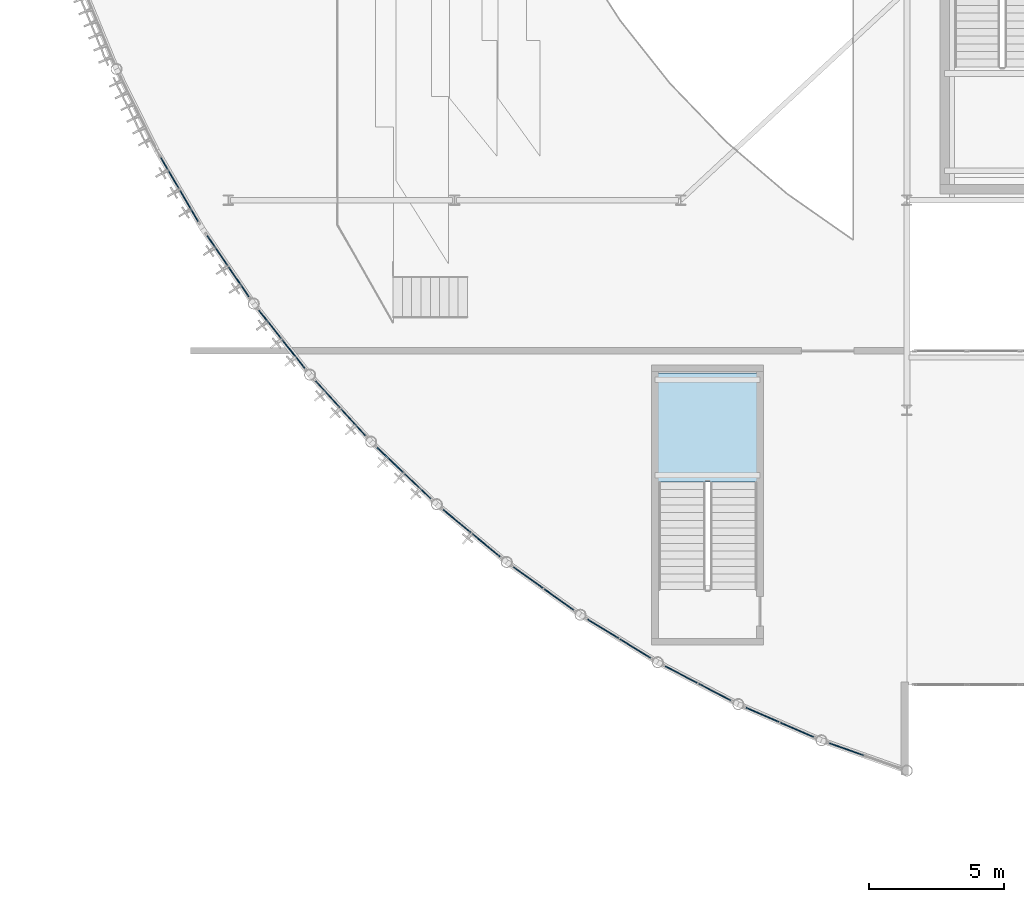
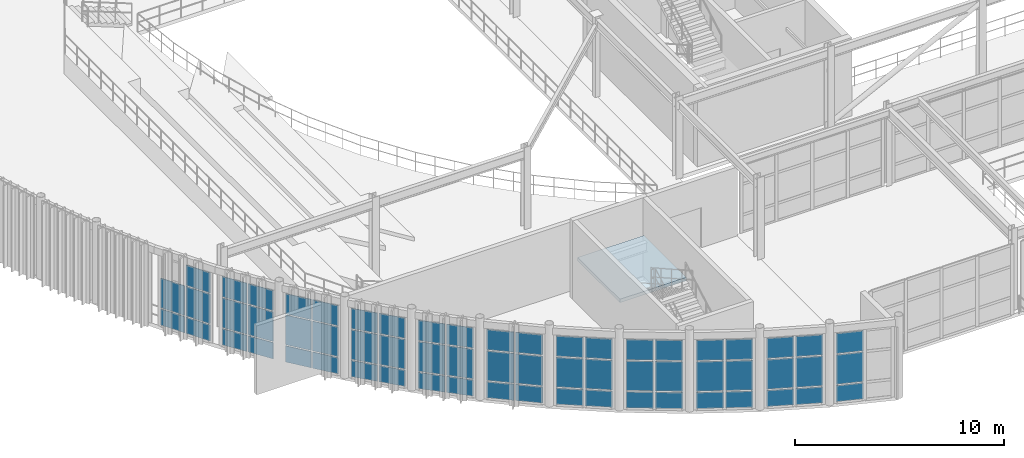
# One storey, part 80 of 116: 62 plates, 1 slab, 12 elements without a shape of their own.
"""IFC4 building model written with IfcOpenShell, lengths in metres."""

from ifc_helpers import new_model, si_unit, direction, frame, origin, origin_2d, place, context, subcontext, project, spatial, polyline, rectangle, outline, extrude, material, layer, layer_set, type_object, element, aggregate, save


model = new_model("IFC4")

# Units and contexts
model_context = context("Model", 3, precision=1e-05, world=origin(), true_north=direction((0.0, 1.0)))
body_context = subcontext(model_context, "Body", "Model", "MODEL_VIEW")
ifc_project = project(units=[si_unit("LENGTHUNIT", "METRE"), si_unit("AREAUNIT", "SQUARE_METRE"), si_unit("VOLUMEUNIT", "CUBIC_METRE"), si_unit("PLANEANGLEUNIT", "RADIAN"), si_unit("MASSUNIT", "GRAM", prefix="KILO")], contexts=[model_context])

# Site, building, storey
site_placement = place(None, origin())
site = spatial("IfcSite", under=ifc_project, at=site_placement, CompositionType="ELEMENT")
building_placement = place(site_placement, origin())
building = spatial("IfcBuilding", under=site, at=building_placement, Name="Selat Folded Stagehouse", CompositionType="ELEMENT")
storey_placement = place(building_placement, frame((0.0, 0.0, 5.39990234375)))
storey = spatial("IfcBuildingStorey", under=building, at=storey_placement, Name="L01", CompositionType="ELEMENT", Elevation=5.39990234375)

# Curtain wall, plates
ifc_material_1 = material(Name="Aluminium 6063-T6", Category="aluminium")
ifc_layer_1 = layer(ifc_material_1, 0.199951171875)
ifc_layer_set_1 = layer_set([ifc_layer_1], Name="Aluminium 6063-T6")
curtain_wall_type = type_object("IfcCurtainWallType", Name="CW-DRM-MID", PredefinedType="NOTDEFINED", material=ifc_layer_set_1)
curtain_wall_1_placement = place(storey_placement, origin())
curtain_wall_1 = element("IfcCurtainWall", 1, at=curtain_wall_1_placement, inside=storey, type_object=curtain_wall_type, Name="L01 curtain wall CW-DRM-L01-09", PredefinedType="NOTDEFINED")
ifc_material_2 = material(Name="Acoustic laminated double glazing", Category="glass")
ifc_layer_2 = layer(ifc_material_2, 0.035888671875)
ifc_layer_set_2 = layer_set([ifc_layer_2], Name="Acoustic laminated double glazing")
plate_type = type_object("IfcPlateType", Name="CWP-GLZ-DGU36", PredefinedType="CURTAIN_PANEL", material=ifc_layer_set_2)
plate_1_placement = place(storey_placement, frame((6.939208984375, 23.187255859375, 0.06982421875), z_axis=(0.0, 0.0, 1.0), x_axis=(-0.504635839764, 0.863332305214, 0.0)))
plate_1 = element("IfcPlate", 2, at=plate_1_placement, type_object=plate_type, Name="CW-02 panel 1.1", PredefinedType="CURTAIN_PANEL", context=body_context, shape_type="SweptSolid", body=[
    extrude(rectangle(XDim=1.32958984375, YDim=0.035888671875, at=origin_2d()), origin(), (0.0, 0.0, 1.0), 0.945068359375),
])
plate_2_placement = place(storey_placement, frame((6.939208984375, 23.187255859375, 1.085205078125), z_axis=(0.0, 0.0, 1.0), x_axis=(-0.504635839764, 0.863332305214, 0.0)))
plate_2 = element("IfcPlate", 3, at=plate_2_placement, type_object=plate_type, Name="CW-02 panel 1.2", PredefinedType="CURTAIN_PANEL", context=body_context, shape_type="SweptSolid", body=[
    extrude(rectangle(XDim=1.32958984375, YDim=0.035888671875, at=origin_2d()), origin(), (0.0, 0.0, 1.0), 1.72998046875),
])
plate_3_placement = place(storey_placement, frame((6.939208984375, 23.187255859375, 2.885009765625), z_axis=(0.0, 0.0, 1.0), x_axis=(-0.504635839764, 0.863332305214, 0.0)))
plate_3 = element("IfcPlate", 4, at=plate_3_placement, type_object=plate_type, Name="CW-02 panel 1.3", PredefinedType="CURTAIN_PANEL", context=body_context, shape_type="SweptSolid", body=[
    extrude(rectangle(XDim=1.32958984375, YDim=0.035888671875, at=origin_2d()), origin(), (0.0, 0.0, 1.0), 1.18505859375),
])
plate_4_placement = place(storey_placement, frame((6.23291015625, 24.3955078125, 0.06982421875), z_axis=(0.0, 0.0, 1.0), x_axis=(-0.504635839764, 0.863332305214, 0.0)))
plate_4 = element("IfcPlate", 5, at=plate_4_placement, type_object=plate_type, Name="CW-02 panel 2.1", PredefinedType="CURTAIN_PANEL", context=body_context, shape_type="SweptSolid", body=[
    extrude(rectangle(XDim=1.32958984375, YDim=0.035888671875, at=origin_2d()), origin(), (0.0, 0.0, 1.0), 0.945068359375),
])
plate_5_placement = place(storey_placement, frame((6.23291015625, 24.3955078125, 1.085205078125), z_axis=(0.0, 0.0, 1.0), x_axis=(-0.504635839764, 0.863332305214, 0.0)))
plate_5 = element("IfcPlate", 6, at=plate_5_placement, type_object=plate_type, Name="CW-02 panel 2.2", PredefinedType="CURTAIN_PANEL", context=body_context, shape_type="SweptSolid", body=[
    extrude(rectangle(XDim=1.32958984375, YDim=0.035888671875, at=origin_2d()), origin(), (0.0, 0.0, 1.0), 1.72998046875),
])
aggregate(curtain_wall_1, [plate_1, plate_2, plate_3, plate_4, plate_5])

curtain_wall_2_placement = place(storey_placement, origin())
curtain_wall_2 = element("IfcCurtainWall", 7, at=curtain_wall_2_placement, inside=storey, type_object=curtain_wall_type, Name="L01 curtain wall CW-DRM-L01-10", PredefinedType="NOTDEFINED")
plate_6_placement = place(storey_placement, frame((8.78076171875, 20.3681640625, 0.06982421875), z_axis=(0.0, 0.0, 1.0), x_axis=(-0.563947732504, 0.825810483709, 0.0)))
plate_6 = element("IfcPlate", 8, at=plate_6_placement, type_object=plate_type, Name="CW-02 panel 1.1", PredefinedType="CURTAIN_PANEL", context=body_context, shape_type="SweptSolid", body=[
    extrude(rectangle(XDim=1.32958984375, YDim=0.035888671875, at=origin_2d()), origin(), (0.0, 0.0, 1.0), 0.945068359375),
])
plate_7_placement = place(storey_placement, frame((8.78076171875, 20.3681640625, 1.085205078125), z_axis=(0.0, 0.0, 1.0), x_axis=(-0.563947732504, 0.825810483709, 0.0)))
plate_7 = element("IfcPlate", 9, at=plate_7_placement, type_object=plate_type, Name="CW-02 panel 1.2", PredefinedType="CURTAIN_PANEL", context=body_context, shape_type="SweptSolid", body=[
    extrude(rectangle(XDim=1.32958984375, YDim=0.035888671875, at=origin_2d()), origin(), (0.0, 0.0, 1.0), 1.72998046875),
])
plate_8_placement = place(storey_placement, frame((8.78076171875, 20.3681640625, 2.885009765625), z_axis=(0.0, 0.0, 1.0), x_axis=(-0.563947732504, 0.825810483709, 0.0)))
plate_8 = element("IfcPlate", 10, at=plate_8_placement, type_object=plate_type, Name="CW-02 panel 1.3", PredefinedType="CURTAIN_PANEL", context=body_context, shape_type="SweptSolid", body=[
    extrude(rectangle(XDim=1.32958984375, YDim=0.035888671875, at=origin_2d()), origin(), (0.0, 0.0, 1.0), 1.18505859375),
])
plate_9_placement = place(storey_placement, frame((7.991455078125, 21.52392578125, 0.06982421875), z_axis=(0.0, 0.0, 1.0), x_axis=(-0.563947732504, 0.825810483709, 0.0)))
plate_9 = element("IfcPlate", 11, at=plate_9_placement, type_object=plate_type, Name="CW-02 panel 2.1", PredefinedType="CURTAIN_PANEL", context=body_context, shape_type="SweptSolid", body=[
    extrude(rectangle(XDim=1.32958984375, YDim=0.035888671875, at=origin_2d()), origin(), (0.0, 0.0, 1.0), 0.945068359375),
])
plate_10_placement = place(storey_placement, frame((7.991455078125, 21.52392578125, 1.085205078125), z_axis=(0.0, 0.0, 1.0), x_axis=(-0.563947732504, 0.825810483709, 0.0)))
plate_10 = element("IfcPlate", 12, at=plate_10_placement, type_object=plate_type, Name="CW-02 panel 2.2", PredefinedType="CURTAIN_PANEL", context=body_context, shape_type="SweptSolid", body=[
    extrude(rectangle(XDim=1.32958984375, YDim=0.035888671875, at=origin_2d()), origin(), (0.0, 0.0, 1.0), 1.72998046875),
])
plate_11_placement = place(storey_placement, frame((7.991455078125, 21.52392578125, 2.885009765625), z_axis=(0.0, 0.0, 1.0), x_axis=(-0.563947732504, 0.825810483709, 0.0)))
plate_11 = element("IfcPlate", 13, at=plate_11_placement, type_object=plate_type, Name="CW-02 panel 2.3", PredefinedType="CURTAIN_PANEL", context=body_context, shape_type="SweptSolid", body=[
    extrude(rectangle(XDim=1.32958984375, YDim=0.035888671875, at=origin_2d()), origin(), (0.0, 0.0, 1.0), 1.18505859375),
])
aggregate(curtain_wall_2, [plate_6, plate_7, plate_8, plate_9, plate_10, plate_11])

curtain_wall_3_placement = place(storey_placement, origin())
curtain_wall_3 = element("IfcCurtainWall", 14, at=curtain_wall_3_placement, inside=storey, type_object=curtain_wall_type, Name="L01 curtain wall CW-DRM-L01-11", PredefinedType="NOTDEFINED")
plate_12_placement = place(storey_placement, frame((10.815673828125, 17.685302734375, 0.06982421875), z_axis=(0.0, 0.0, 1.0), x_axis=(-0.620533301992, 0.784180094825, 0.0)))
plate_12 = element("IfcPlate", 15, at=plate_12_placement, type_object=plate_type, Name="CW-02 panel 1.1", PredefinedType="CURTAIN_PANEL", context=body_context, shape_type="SweptSolid", body=[
    extrude(rectangle(XDim=1.32958984375, YDim=0.035888671875, at=origin_2d()), origin(), (0.0, 0.0, 1.0), 0.945068359375),
])
plate_13_placement = place(storey_placement, frame((10.815673828125, 17.685302734375, 1.085205078125), z_axis=(0.0, 0.0, 1.0), x_axis=(-0.620533301992, 0.784180094825, 0.0)))
plate_13 = element("IfcPlate", 16, at=plate_13_placement, type_object=plate_type, Name="CW-02 panel 1.2", PredefinedType="CURTAIN_PANEL", context=body_context, shape_type="SweptSolid", body=[
    extrude(rectangle(XDim=1.32958984375, YDim=0.035888671875, at=origin_2d()), origin(), (0.0, 0.0, 1.0), 1.72998046875),
])
plate_14_placement = place(storey_placement, frame((10.815673828125, 17.685302734375, 2.885009765625), z_axis=(0.0, 0.0, 1.0), x_axis=(-0.620533301992, 0.784180094825, 0.0)))
plate_14 = element("IfcPlate", 17, at=plate_14_placement, type_object=plate_type, Name="CW-02 panel 1.3", PredefinedType="CURTAIN_PANEL", context=body_context, shape_type="SweptSolid", body=[
    extrude(rectangle(XDim=1.32958984375, YDim=0.035888671875, at=origin_2d()), origin(), (0.0, 0.0, 1.0), 1.18505859375),
])
plate_15_placement = place(storey_placement, frame((9.947265625, 18.78271484375, 0.06982421875), z_axis=(0.0, 0.0, 1.0), x_axis=(-0.620533301992, 0.784180094825, 0.0)))
plate_15 = element("IfcPlate", 18, at=plate_15_placement, type_object=plate_type, Name="CW-02 panel 2.1", PredefinedType="CURTAIN_PANEL", context=body_context, shape_type="SweptSolid", body=[
    extrude(rectangle(XDim=1.32958984375, YDim=0.035888671875, at=origin_2d()), origin(), (0.0, 0.0, 1.0), 0.945068359375),
])
plate_16_placement = place(storey_placement, frame((9.947265625, 18.78271484375, 1.085205078125), z_axis=(0.0, 0.0, 1.0), x_axis=(-0.620533301992, 0.784180094825, 0.0)))
plate_16 = element("IfcPlate", 19, at=plate_16_placement, type_object=plate_type, Name="CW-02 panel 2.2", PredefinedType="CURTAIN_PANEL", context=body_context, shape_type="SweptSolid", body=[
    extrude(rectangle(XDim=1.32958984375, YDim=0.035888671875, at=origin_2d()), origin(), (0.0, 0.0, 1.0), 1.72998046875),
])
plate_17_placement = place(storey_placement, frame((9.947265625, 18.78271484375, 2.885009765625), z_axis=(0.0, 0.0, 1.0), x_axis=(-0.620533301992, 0.784180094825, 0.0)))
plate_17 = element("IfcPlate", 20, at=plate_17_placement, type_object=plate_type, Name="CW-02 panel 2.3", PredefinedType="CURTAIN_PANEL", context=body_context, shape_type="SweptSolid", body=[
    extrude(rectangle(XDim=1.32958984375, YDim=0.035888671875, at=origin_2d()), origin(), (0.0, 0.0, 1.0), 1.18505859375),
])
aggregate(curtain_wall_3, [plate_12, plate_13, plate_14, plate_15, plate_16, plate_17])

curtain_wall_4_placement = place(storey_placement, origin())
curtain_wall_4 = element("IfcCurtainWall", 21, at=curtain_wall_4_placement, inside=storey, type_object=curtain_wall_type, Name="L01 curtain wall CW-DRM-L01-12", PredefinedType="NOTDEFINED")
plate_18_placement = place(storey_placement, frame((13.03369140625, 15.15185546875, 0.06982421875), z_axis=(0.0, 0.0, 1.0), x_axis=(-0.674002369336, 0.738729183213, 0.0)))
plate_18 = element("IfcPlate", 22, at=plate_18_placement, type_object=plate_type, Name="CW-02 panel 1.1", PredefinedType="CURTAIN_PANEL", context=body_context, shape_type="SweptSolid", body=[
    extrude(rectangle(XDim=1.32958984375, YDim=0.035888671875, at=origin_2d()), origin(), (0.0, 0.0, 1.0), 0.945068359375),
])
plate_19_placement = place(storey_placement, frame((13.03369140625, 15.15185546875, 1.085205078125), z_axis=(0.0, 0.0, 1.0), x_axis=(-0.674002369336, 0.738729183213, 0.0)))
plate_19 = element("IfcPlate", 23, at=plate_19_placement, type_object=plate_type, Name="CW-02 panel 1.2", PredefinedType="CURTAIN_PANEL", context=body_context, shape_type="SweptSolid", body=[
    extrude(rectangle(XDim=1.32958984375, YDim=0.035888671875, at=origin_2d()), origin(), (0.0, 0.0, 1.0), 1.72998046875),
])
plate_20_placement = place(storey_placement, frame((13.03369140625, 15.15185546875, 2.885009765625), z_axis=(0.0, 0.0, 1.0), x_axis=(-0.674002369336, 0.738729183213, 0.0)))
plate_20 = element("IfcPlate", 24, at=plate_20_placement, type_object=plate_type, Name="CW-02 panel 1.3", PredefinedType="CURTAIN_PANEL", context=body_context, shape_type="SweptSolid", body=[
    extrude(rectangle(XDim=1.32958984375, YDim=0.035888671875, at=origin_2d()), origin(), (0.0, 0.0, 1.0), 1.18505859375),
])
plate_21_placement = place(storey_placement, frame((12.09033203125, 16.185546875, 0.06982421875), z_axis=(0.0, 0.0, 1.0), x_axis=(-0.674002369336, 0.738729183213, 0.0)))
plate_21 = element("IfcPlate", 25, at=plate_21_placement, type_object=plate_type, Name="CW-02 panel 2.1", PredefinedType="CURTAIN_PANEL", context=body_context, shape_type="SweptSolid", body=[
    extrude(rectangle(XDim=1.32958984375, YDim=0.035888671875, at=origin_2d()), origin(), (0.0, 0.0, 1.0), 0.945068359375),
])
plate_22_placement = place(storey_placement, frame((12.09033203125, 16.185546875, 1.085205078125), z_axis=(0.0, 0.0, 1.0), x_axis=(-0.674002369336, 0.738729183213, 0.0)))
plate_22 = element("IfcPlate", 26, at=plate_22_placement, type_object=plate_type, Name="CW-02 panel 2.2", PredefinedType="CURTAIN_PANEL", context=body_context, shape_type="SweptSolid", body=[
    extrude(rectangle(XDim=1.32958984375, YDim=0.035888671875, at=origin_2d()), origin(), (0.0, 0.0, 1.0), 1.72998046875),
])
plate_23_placement = place(storey_placement, frame((12.09033203125, 16.185546875, 2.885009765625), z_axis=(0.0, 0.0, 1.0), x_axis=(-0.674002369336, 0.738729183213, 0.0)))
plate_23 = element("IfcPlate", 27, at=plate_23_placement, type_object=plate_type, Name="CW-02 panel 2.3", PredefinedType="CURTAIN_PANEL", context=body_context, shape_type="SweptSolid", body=[
    extrude(rectangle(XDim=1.32958984375, YDim=0.035888671875, at=origin_2d()), origin(), (0.0, 0.0, 1.0), 1.18505859375),
])
aggregate(curtain_wall_4, [plate_18, plate_19, plate_20, plate_21, plate_22, plate_23])

curtain_wall_5_placement = place(storey_placement, origin())
curtain_wall_5 = element("IfcCurtainWall", 28, at=curtain_wall_5_placement, inside=storey, type_object=curtain_wall_type, Name="L01 curtain wall CW-DRM-L01-13", PredefinedType="NOTDEFINED")
plate_24_placement = place(storey_placement, frame((15.423828125, 12.780029296875, 0.06982421875), z_axis=(0.0, 0.0, 1.0), x_axis=(-0.724132128869, 0.689661264636, 0.0)))
plate_24 = element("IfcPlate", 29, at=plate_24_placement, type_object=plate_type, Name="CW-02 panel 1.1", PredefinedType="CURTAIN_PANEL", context=body_context, shape_type="SweptSolid", body=[
    extrude(rectangle(XDim=1.32958984375, YDim=0.035888671875, at=origin_2d()), origin(), (0.0, 0.0, 1.0), 0.945068359375),
])
plate_25_placement = place(storey_placement, frame((15.423828125, 12.780029296875, 1.085205078125), z_axis=(0.0, 0.0, 1.0), x_axis=(-0.724132128869, 0.689661264636, 0.0)))
plate_25 = element("IfcPlate", 30, at=plate_25_placement, type_object=plate_type, Name="CW-02 panel 1.2", PredefinedType="CURTAIN_PANEL", context=body_context, shape_type="SweptSolid", body=[
    extrude(rectangle(XDim=1.32958984375, YDim=0.035888671875, at=origin_2d()), origin(), (0.0, 0.0, 1.0), 1.72998046875),
])
plate_26_placement = place(storey_placement, frame((15.423828125, 12.780029296875, 2.885009765625), z_axis=(0.0, 0.0, 1.0), x_axis=(-0.724132128869, 0.689661264636, 0.0)))
plate_26 = element("IfcPlate", 31, at=plate_26_placement, type_object=plate_type, Name="CW-02 panel 1.3", PredefinedType="CURTAIN_PANEL", context=body_context, shape_type="SweptSolid", body=[
    extrude(rectangle(XDim=1.32958984375, YDim=0.035888671875, at=origin_2d()), origin(), (0.0, 0.0, 1.0), 1.18505859375),
])
plate_27_placement = place(storey_placement, frame((14.410400390625, 13.7451171875, 0.06982421875), z_axis=(0.0, 0.0, 1.0), x_axis=(-0.724132128869, 0.689661264636, 0.0)))
plate_27 = element("IfcPlate", 32, at=plate_27_placement, type_object=plate_type, Name="CW-02 panel 2.1", PredefinedType="CURTAIN_PANEL", context=body_context, shape_type="SweptSolid", body=[
    extrude(rectangle(XDim=1.32958984375, YDim=0.035888671875, at=origin_2d()), origin(), (0.0, 0.0, 1.0), 0.945068359375),
])
plate_28_placement = place(storey_placement, frame((14.410400390625, 13.7451171875, 1.085205078125), z_axis=(0.0, 0.0, 1.0), x_axis=(-0.724132128869, 0.689661264636, 0.0)))
plate_28 = element("IfcPlate", 33, at=plate_28_placement, type_object=plate_type, Name="CW-02 panel 2.2", PredefinedType="CURTAIN_PANEL", context=body_context, shape_type="SweptSolid", body=[
    extrude(rectangle(XDim=1.32958984375, YDim=0.035888671875, at=origin_2d()), origin(), (0.0, 0.0, 1.0), 1.72998046875),
])
plate_29_placement = place(storey_placement, frame((14.410400390625, 13.7451171875, 2.885009765625), z_axis=(0.0, 0.0, 1.0), x_axis=(-0.724132128869, 0.689661264636, 0.0)))
plate_29 = element("IfcPlate", 34, at=plate_29_placement, type_object=plate_type, Name="CW-02 panel 2.3", PredefinedType="CURTAIN_PANEL", context=body_context, shape_type="SweptSolid", body=[
    extrude(rectangle(XDim=1.32958984375, YDim=0.035888671875, at=origin_2d()), origin(), (0.0, 0.0, 1.0), 1.18505859375),
])
aggregate(curtain_wall_5, [plate_24, plate_25, plate_26, plate_27, plate_28, plate_29])

curtain_wall_6_placement = place(storey_placement, origin())
curtain_wall_6 = element("IfcCurtainWall", 35, at=curtain_wall_6_placement, inside=storey, type_object=curtain_wall_type, Name="L01 curtain wall CW-DRM-L01-14", PredefinedType="NOTDEFINED")
plate_30_placement = place(storey_placement, frame((17.974609375, 10.581787109375, 0.06982421875), z_axis=(0.0, 0.0, 1.0), x_axis=(-0.770746654899, 0.637141737734, 0.0)))
plate_30 = element("IfcPlate", 36, at=plate_30_placement, type_object=plate_type, Name="CW-02 panel 1.1", PredefinedType="CURTAIN_PANEL", context=body_context, shape_type="SweptSolid", body=[
    extrude(rectangle(XDim=1.329345703125, YDim=0.035888671875, at=origin_2d()), origin(), (0.0, 0.0, 1.0), 0.945068359375),
])
plate_31_placement = place(storey_placement, frame((17.974609375, 10.581787109375, 1.085205078125), z_axis=(0.0, 0.0, 1.0), x_axis=(-0.770746654899, 0.637141737734, 0.0)))
plate_31 = element("IfcPlate", 37, at=plate_31_placement, type_object=plate_type, Name="CW-02 panel 1.2", PredefinedType="CURTAIN_PANEL", context=body_context, shape_type="SweptSolid", body=[
    extrude(rectangle(XDim=1.329345703125, YDim=0.035888671875, at=origin_2d()), origin(), (0.0, 0.0, 1.0), 1.72998046875),
])
plate_32_placement = place(storey_placement, frame((17.974609375, 10.581787109375, 2.885009765625), z_axis=(0.0, 0.0, 1.0), x_axis=(-0.770746654899, 0.637141737734, 0.0)))
plate_32 = element("IfcPlate", 38, at=plate_32_placement, type_object=plate_type, Name="CW-02 panel 1.3", PredefinedType="CURTAIN_PANEL", context=body_context, shape_type="SweptSolid", body=[
    extrude(rectangle(XDim=1.329345703125, YDim=0.035888671875, at=origin_2d()), origin(), (0.0, 0.0, 1.0), 1.18505859375),
])
plate_33_placement = place(storey_placement, frame((16.89599609375, 11.473388671875, 0.06982421875), z_axis=(0.0, 0.0, 1.0), x_axis=(-0.770746654899, 0.637141737734, 0.0)))
plate_33 = element("IfcPlate", 39, at=plate_33_placement, type_object=plate_type, Name="CW-02 panel 2.1", PredefinedType="CURTAIN_PANEL", context=body_context, shape_type="SweptSolid", body=[
    extrude(rectangle(XDim=1.329345703125, YDim=0.035888671875, at=origin_2d()), origin(), (0.0, 0.0, 1.0), 0.945068359375),
])
plate_34_placement = place(storey_placement, frame((16.89599609375, 11.473388671875, 1.085205078125), z_axis=(0.0, 0.0, 1.0), x_axis=(-0.770746654899, 0.637141737734, 0.0)))
plate_34 = element("IfcPlate", 40, at=plate_34_placement, type_object=plate_type, Name="CW-02 panel 2.2", PredefinedType="CURTAIN_PANEL", context=body_context, shape_type="SweptSolid", body=[
    extrude(rectangle(XDim=1.329345703125, YDim=0.035888671875, at=origin_2d()), origin(), (0.0, 0.0, 1.0), 1.72998046875),
])
plate_35_placement = place(storey_placement, frame((16.89599609375, 11.473388671875, 2.885009765625), z_axis=(0.0, 0.0, 1.0), x_axis=(-0.770746654899, 0.637141737734, 0.0)))
plate_35 = element("IfcPlate", 41, at=plate_35_placement, type_object=plate_type, Name="CW-02 panel 2.3", PredefinedType="CURTAIN_PANEL", context=body_context, shape_type="SweptSolid", body=[
    extrude(rectangle(XDim=1.329345703125, YDim=0.035888671875, at=origin_2d()), origin(), (0.0, 0.0, 1.0), 1.18505859375),
])
aggregate(curtain_wall_6, [plate_30, plate_31, plate_32, plate_33, plate_34, plate_35])

curtain_wall_7_placement = place(storey_placement, origin())
curtain_wall_7 = element("IfcCurtainWall", 42, at=curtain_wall_7_placement, inside=storey, type_object=curtain_wall_type, Name="L01 curtain wall CW-DRM-L01-15", PredefinedType="NOTDEFINED")
plate_36_placement = place(storey_placement, frame((20.67333984375, 8.56787109375, 0.06982421875), z_axis=(0.0, 0.0, 1.0), x_axis=(-0.813526170861, 0.581528304836, 0.0)))
plate_36 = element("IfcPlate", 43, at=plate_36_placement, type_object=plate_type, Name="CW-02 panel 1.1", PredefinedType="CURTAIN_PANEL", context=body_context, shape_type="SweptSolid", body=[
    extrude(rectangle(XDim=1.32958984375, YDim=0.035888671875, at=origin_2d()), origin(), (0.0, 0.0, 1.0), 0.945068359375),
])
plate_37_placement = place(storey_placement, frame((20.67333984375, 8.56787109375, 1.085205078125), z_axis=(0.0, 0.0, 1.0), x_axis=(-0.813526170861, 0.581528304836, 0.0)))
plate_37 = element("IfcPlate", 44, at=plate_37_placement, type_object=plate_type, Name="CW-02 panel 1.2", PredefinedType="CURTAIN_PANEL", context=body_context, shape_type="SweptSolid", body=[
    extrude(rectangle(XDim=1.32958984375, YDim=0.035888671875, at=origin_2d()), origin(), (0.0, 0.0, 1.0), 1.72998046875),
])
plate_38_placement = place(storey_placement, frame((20.67333984375, 8.56787109375, 2.885009765625), z_axis=(0.0, 0.0, 1.0), x_axis=(-0.813526170861, 0.581528304836, 0.0)))
plate_38 = element("IfcPlate", 45, at=plate_38_placement, type_object=plate_type, Name="CW-02 panel 1.3", PredefinedType="CURTAIN_PANEL", context=body_context, shape_type="SweptSolid", body=[
    extrude(rectangle(XDim=1.32958984375, YDim=0.035888671875, at=origin_2d()), origin(), (0.0, 0.0, 1.0), 1.18505859375),
])
plate_39_placement = place(storey_placement, frame((19.53466796875, 9.381591796875, 0.06982421875), z_axis=(0.0, 0.0, 1.0), x_axis=(-0.813526170861, 0.581528304836, 0.0)))
plate_39 = element("IfcPlate", 46, at=plate_39_placement, type_object=plate_type, Name="CW-02 panel 2.1", PredefinedType="CURTAIN_PANEL", context=body_context, shape_type="SweptSolid", body=[
    extrude(rectangle(XDim=1.32958984375, YDim=0.035888671875, at=origin_2d()), origin(), (0.0, 0.0, 1.0), 0.945068359375),
])
plate_40_placement = place(storey_placement, frame((19.53466796875, 9.381591796875, 1.085205078125), z_axis=(0.0, 0.0, 1.0), x_axis=(-0.813526170861, 0.581528304836, 0.0)))
plate_40 = element("IfcPlate", 47, at=plate_40_placement, type_object=plate_type, Name="CW-02 panel 2.2", PredefinedType="CURTAIN_PANEL", context=body_context, shape_type="SweptSolid", body=[
    extrude(rectangle(XDim=1.32958984375, YDim=0.035888671875, at=origin_2d()), origin(), (0.0, 0.0, 1.0), 1.72998046875),
])
plate_41_placement = place(storey_placement, frame((19.53466796875, 9.381591796875, 2.885009765625), z_axis=(0.0, 0.0, 1.0), x_axis=(-0.813526170861, 0.581528304836, 0.0)))
plate_41 = element("IfcPlate", 48, at=plate_41_placement, type_object=plate_type, Name="CW-02 panel 2.3", PredefinedType="CURTAIN_PANEL", context=body_context, shape_type="SweptSolid", body=[
    extrude(rectangle(XDim=1.32958984375, YDim=0.035888671875, at=origin_2d()), origin(), (0.0, 0.0, 1.0), 1.18505859375),
])
aggregate(curtain_wall_7, [plate_36, plate_37, plate_38, plate_39, plate_40, plate_41])

curtain_wall_8_placement = place(storey_placement, origin())
curtain_wall_8 = element("IfcCurtainWall", 49, at=curtain_wall_8_placement, inside=storey, type_object=curtain_wall_type, Name="L01 curtain wall CW-DRM-L01-16", PredefinedType="NOTDEFINED")
plate_42_placement = place(storey_placement, frame((23.506591796875, 6.748046875, 0.06982421875), z_axis=(0.0, 0.0, 1.0), x_axis=(-0.852317078277, 0.523025427755, 0.0)))
plate_42 = element("IfcPlate", 50, at=plate_42_placement, type_object=plate_type, Name="CW-02 panel 1.1", PredefinedType="CURTAIN_PANEL", context=body_context, shape_type="SweptSolid", body=[
    extrude(rectangle(XDim=1.329345703125, YDim=0.035888671875, at=origin_2d()), origin(), (0.0, 0.0, 1.0), 0.945068359375),
])
plate_43_placement = place(storey_placement, frame((23.506591796875, 6.748046875, 1.085205078125), z_axis=(0.0, 0.0, 1.0), x_axis=(-0.852317078277, 0.523025427755, 0.0)))
plate_43 = element("IfcPlate", 51, at=plate_43_placement, type_object=plate_type, Name="CW-02 panel 1.2", PredefinedType="CURTAIN_PANEL", context=body_context, shape_type="SweptSolid", body=[
    extrude(rectangle(XDim=1.329345703125, YDim=0.035888671875, at=origin_2d()), origin(), (0.0, 0.0, 1.0), 1.72998046875),
])
plate_44_placement = place(storey_placement, frame((23.506591796875, 6.748046875, 2.885009765625), z_axis=(0.0, 0.0, 1.0), x_axis=(-0.852317078277, 0.523025427755, 0.0)))
plate_44 = element("IfcPlate", 52, at=plate_44_placement, type_object=plate_type, Name="CW-02 panel 1.3", PredefinedType="CURTAIN_PANEL", context=body_context, shape_type="SweptSolid", body=[
    extrude(rectangle(XDim=1.329345703125, YDim=0.035888671875, at=origin_2d()), origin(), (0.0, 0.0, 1.0), 1.18505859375),
])
plate_45_placement = place(storey_placement, frame((22.313720703125, 7.47998046875, 0.06982421875), z_axis=(0.0, 0.0, 1.0), x_axis=(-0.852317078277, 0.523025427755, 0.0)))
plate_45 = element("IfcPlate", 53, at=plate_45_placement, type_object=plate_type, Name="CW-02 panel 2.1", PredefinedType="CURTAIN_PANEL", context=body_context, shape_type="SweptSolid", body=[
    extrude(rectangle(XDim=1.329345703125, YDim=0.035888671875, at=origin_2d()), origin(), (0.0, 0.0, 1.0), 0.945068359375),
])
plate_46_placement = place(storey_placement, frame((22.313720703125, 7.47998046875, 1.085205078125), z_axis=(0.0, 0.0, 1.0), x_axis=(-0.852317078277, 0.523025427755, 0.0)))
plate_46 = element("IfcPlate", 54, at=plate_46_placement, type_object=plate_type, Name="CW-02 panel 2.2", PredefinedType="CURTAIN_PANEL", context=body_context, shape_type="SweptSolid", body=[
    extrude(rectangle(XDim=1.329345703125, YDim=0.035888671875, at=origin_2d()), origin(), (0.0, 0.0, 1.0), 1.72998046875),
])
plate_47_placement = place(storey_placement, frame((22.313720703125, 7.47998046875, 2.885009765625), z_axis=(0.0, 0.0, 1.0), x_axis=(-0.852317078277, 0.523025427755, 0.0)))
plate_47 = element("IfcPlate", 55, at=plate_47_placement, type_object=plate_type, Name="CW-02 panel 2.3", PredefinedType="CURTAIN_PANEL", context=body_context, shape_type="SweptSolid", body=[
    extrude(rectangle(XDim=1.329345703125, YDim=0.035888671875, at=origin_2d()), origin(), (0.0, 0.0, 1.0), 1.18505859375),
])
aggregate(curtain_wall_8, [plate_42, plate_43, plate_44, plate_45, plate_46, plate_47])

curtain_wall_9_placement = place(storey_placement, origin())
curtain_wall_9 = element("IfcCurtainWall", 56, at=curtain_wall_9_placement, inside=storey, type_object=curtain_wall_type, Name="L01 curtain wall CW-DRM-L01-17", PredefinedType="NOTDEFINED")
plate_48_placement = place(storey_placement, frame((26.46044921875, 5.131591796875, 0.06982421875), z_axis=(0.0, 0.0, 1.0), x_axis=(-0.886915869147, 0.461930991659, 0.0)))
plate_48 = element("IfcPlate", 57, at=plate_48_placement, type_object=plate_type, Name="CW-02 panel 1.1", PredefinedType="CURTAIN_PANEL", context=body_context, shape_type="SweptSolid", body=[
    extrude(rectangle(XDim=1.32958984375, YDim=0.035888671875, at=origin_2d()), origin(), (0.0, 0.0, 1.0), 0.945068359375),
])
plate_49_placement = place(storey_placement, frame((26.46044921875, 5.131591796875, 1.085205078125), z_axis=(0.0, 0.0, 1.0), x_axis=(-0.886915869147, 0.461930991659, 0.0)))
plate_49 = element("IfcPlate", 58, at=plate_49_placement, type_object=plate_type, Name="CW-02 panel 1.2", PredefinedType="CURTAIN_PANEL", context=body_context, shape_type="SweptSolid", body=[
    extrude(rectangle(XDim=1.32958984375, YDim=0.035888671875, at=origin_2d()), origin(), (0.0, 0.0, 1.0), 1.72998046875),
])
plate_50_placement = place(storey_placement, frame((26.46044921875, 5.131591796875, 2.885009765625), z_axis=(0.0, 0.0, 1.0), x_axis=(-0.886915869147, 0.461930991659, 0.0)))
plate_50 = element("IfcPlate", 59, at=plate_50_placement, type_object=plate_type, Name="CW-02 panel 1.3", PredefinedType="CURTAIN_PANEL", context=body_context, shape_type="SweptSolid", body=[
    extrude(rectangle(XDim=1.32958984375, YDim=0.035888671875, at=origin_2d()), origin(), (0.0, 0.0, 1.0), 1.18505859375),
])
plate_51_placement = place(storey_placement, frame((25.21923828125, 5.778076171875, 0.06982421875), z_axis=(0.0, 0.0, 1.0), x_axis=(-0.886915869147, 0.461930991659, 0.0)))
plate_51 = element("IfcPlate", 60, at=plate_51_placement, type_object=plate_type, Name="CW-02 panel 2.1", PredefinedType="CURTAIN_PANEL", context=body_context, shape_type="SweptSolid", body=[
    extrude(rectangle(XDim=1.32958984375, YDim=0.035888671875, at=origin_2d()), origin(), (0.0, 0.0, 1.0), 0.945068359375),
])
plate_52_placement = place(storey_placement, frame((25.21923828125, 5.778076171875, 1.085205078125), z_axis=(0.0, 0.0, 1.0), x_axis=(-0.886915869147, 0.461930991659, 0.0)))
plate_52 = element("IfcPlate", 61, at=plate_52_placement, type_object=plate_type, Name="CW-02 panel 2.2", PredefinedType="CURTAIN_PANEL", context=body_context, shape_type="SweptSolid", body=[
    extrude(rectangle(XDim=1.32958984375, YDim=0.035888671875, at=origin_2d()), origin(), (0.0, 0.0, 1.0), 1.72998046875),
])
plate_53_placement = place(storey_placement, frame((25.21923828125, 5.778076171875, 2.885009765625), z_axis=(0.0, 0.0, 1.0), x_axis=(-0.886915869147, 0.461930991659, 0.0)))
plate_53 = element("IfcPlate", 62, at=plate_53_placement, type_object=plate_type, Name="CW-02 panel 2.3", PredefinedType="CURTAIN_PANEL", context=body_context, shape_type="SweptSolid", body=[
    extrude(rectangle(XDim=1.32958984375, YDim=0.035888671875, at=origin_2d()), origin(), (0.0, 0.0, 1.0), 1.18505859375),
])
aggregate(curtain_wall_9, [plate_48, plate_49, plate_50, plate_51, plate_52, plate_53])

curtain_wall_10_placement = place(storey_placement, origin())
curtain_wall_10 = element("IfcCurtainWall", 63, at=curtain_wall_10_placement, inside=storey, type_object=curtain_wall_type, Name="L01 curtain wall CW-DRM-L01-18", PredefinedType="NOTDEFINED")
plate_54_placement = place(storey_placement, frame((29.5205078125, 3.726318359375, 0.06982421875), z_axis=(0.0, 0.0, 1.0), x_axis=(-0.917133771915, 0.39857953336, 0.0)))
plate_54 = element("IfcPlate", 64, at=plate_54_placement, type_object=plate_type, Name="CW-02 panel 1.1", PredefinedType="CURTAIN_PANEL", context=body_context, shape_type="SweptSolid", body=[
    extrude(rectangle(XDim=1.32958984375, YDim=0.035888671875, at=origin_2d()), origin(), (0.0, 0.0, 1.0), 0.945068359375),
])
plate_55_placement = place(storey_placement, frame((29.5205078125, 3.726318359375, 1.085205078125), z_axis=(0.0, 0.0, 1.0), x_axis=(-0.917133771915, 0.39857953336, 0.0)))
plate_55 = element("IfcPlate", 65, at=plate_55_placement, type_object=plate_type, Name="CW-02 panel 1.2", PredefinedType="CURTAIN_PANEL", context=body_context, shape_type="SweptSolid", body=[
    extrude(rectangle(XDim=1.32958984375, YDim=0.035888671875, at=origin_2d()), origin(), (0.0, 0.0, 1.0), 1.72998046875),
])
plate_56_placement = place(storey_placement, frame((29.5205078125, 3.726318359375, 2.885009765625), z_axis=(0.0, 0.0, 1.0), x_axis=(-0.917133771915, 0.39857953336, 0.0)))
plate_56 = element("IfcPlate", 66, at=plate_56_placement, type_object=plate_type, Name="CW-02 panel 1.3", PredefinedType="CURTAIN_PANEL", context=body_context, shape_type="SweptSolid", body=[
    extrude(rectangle(XDim=1.32958984375, YDim=0.035888671875, at=origin_2d()), origin(), (0.0, 0.0, 1.0), 1.18505859375),
])
plate_57_placement = place(storey_placement, frame((28.237060546875, 4.2841796875, 0.06982421875), z_axis=(0.0, 0.0, 1.0), x_axis=(-0.917133771915, 0.39857953336, 0.0)))
plate_57 = element("IfcPlate", 67, at=plate_57_placement, type_object=plate_type, Name="CW-02 panel 2.1", PredefinedType="CURTAIN_PANEL", context=body_context, shape_type="SweptSolid", body=[
    extrude(rectangle(XDim=1.32958984375, YDim=0.035888671875, at=origin_2d()), origin(), (0.0, 0.0, 1.0), 0.945068359375),
])
plate_58_placement = place(storey_placement, frame((28.237060546875, 4.2841796875, 1.085205078125), z_axis=(0.0, 0.0, 1.0), x_axis=(-0.917133771915, 0.39857953336, 0.0)))
plate_58 = element("IfcPlate", 68, at=plate_58_placement, type_object=plate_type, Name="CW-02 panel 2.2", PredefinedType="CURTAIN_PANEL", context=body_context, shape_type="SweptSolid", body=[
    extrude(rectangle(XDim=1.32958984375, YDim=0.035888671875, at=origin_2d()), origin(), (0.0, 0.0, 1.0), 1.72998046875),
])
plate_59_placement = place(storey_placement, frame((28.237060546875, 4.2841796875, 2.885009765625), z_axis=(0.0, 0.0, 1.0), x_axis=(-0.917133771915, 0.39857953336, 0.0)))
plate_59 = element("IfcPlate", 69, at=plate_59_placement, type_object=plate_type, Name="CW-02 panel 2.3", PredefinedType="CURTAIN_PANEL", context=body_context, shape_type="SweptSolid", body=[
    extrude(rectangle(XDim=1.32958984375, YDim=0.035888671875, at=origin_2d()), origin(), (0.0, 0.0, 1.0), 1.18505859375),
])
aggregate(curtain_wall_10, [plate_54, plate_55, plate_56, plate_57, plate_58, plate_59])

curtain_wall_11_placement = place(storey_placement, origin())
curtain_wall_11 = element("IfcCurtainWall", 70, at=curtain_wall_11_placement, inside=storey, type_object=curtain_wall_type, Name="L01 curtain wall CW-DRM-L01-19", PredefinedType="NOTDEFINED")
plate_60_placement = place(storey_placement, frame((31.35205078125, 3.005615234375, 0.06982421875), z_axis=(0.0, 0.0, 1.0), x_axis=(-0.942815824106, 0.333314148838, 0.0)))
plate_60 = element("IfcPlate", 71, at=plate_60_placement, type_object=plate_type, Name="CW-02 panel 2.1", PredefinedType="CURTAIN_PANEL", context=body_context, shape_type="SweptSolid", body=[
    extrude(rectangle(XDim=1.32958984375, YDim=0.035888671875, at=origin_2d()), origin(), (0.0, 0.0, 1.0), 0.945068359375),
])
plate_61_placement = place(storey_placement, frame((31.35205078125, 3.005615234375, 1.085205078125), z_axis=(0.0, 0.0, 1.0), x_axis=(-0.942815824106, 0.333314148838, 0.0)))
plate_61 = element("IfcPlate", 72, at=plate_61_placement, type_object=plate_type, Name="CW-02 panel 2.2", PredefinedType="CURTAIN_PANEL", context=body_context, shape_type="SweptSolid", body=[
    extrude(rectangle(XDim=1.32958984375, YDim=0.035888671875, at=origin_2d()), origin(), (0.0, 0.0, 1.0), 1.72998046875),
])
plate_62_placement = place(storey_placement, frame((31.35205078125, 3.005615234375, 2.885009765625), z_axis=(0.0, 0.0, 1.0), x_axis=(-0.942815824106, 0.333314148838, 0.0)))
plate_62 = element("IfcPlate", 73, at=plate_62_placement, type_object=plate_type, Name="CW-02 panel 2.3", PredefinedType="CURTAIN_PANEL", context=body_context, shape_type="SweptSolid", body=[
    extrude(rectangle(XDim=1.32958984375, YDim=0.035888671875, at=origin_2d()), origin(), (0.0, 0.0, 1.0), 1.18505859375),
])
aggregate(curtain_wall_11, [plate_60, plate_61, plate_62])

# Stair, slab
ifc_material_3 = material(Name="Concrete C40/50", Category="concrete")
stair_type = type_object("IfcStairType", Name="STR-DOG-1760-30R", PredefinedType="HALF_TURN_STAIR", material=ifc_material_3)
stair_placement = place(storey_placement, origin())
stair = element("IfcStair", 74, at=stair_placement, inside=storey, type_object=stair_type, Name="L01 Main Drum Circle Stair ST-09", PredefinedType="HALF_TURN_STAIR")
ifc_layer_3 = layer(ifc_material_3, 0.199951171875)
ifc_layer_set_3 = layer_set([ifc_layer_3], Name="Concrete C40/50")
slab_type = type_object("IfcSlabType", Name="SLAB-STR-LDG-200", PredefinedType="LANDING", material=ifc_layer_set_3)
slab_placement = place(storey_placement, frame((0.0, 0.0, 2.2001953125)))
slab = element("IfcSlab", 75, at=slab_placement, type_object=slab_type, Name="ST-1760-30R landing 1", PredefinedType="LANDING", context=body_context, shape_type="SweptSolid", body=[
    extrude(outline(polyline([(28.0400390625, 12.929931640625), (28.0400390625, 16.97998046875), (24.360107421875, 16.97998046875), (24.360107421875, 12.929931640625), (28.0400390625, 12.929931640625)])), origin(), (0.0, 0.0, 1.0), 0.199951171875),
])
aggregate(stair, [slab])

save(model, "model.ifc")
